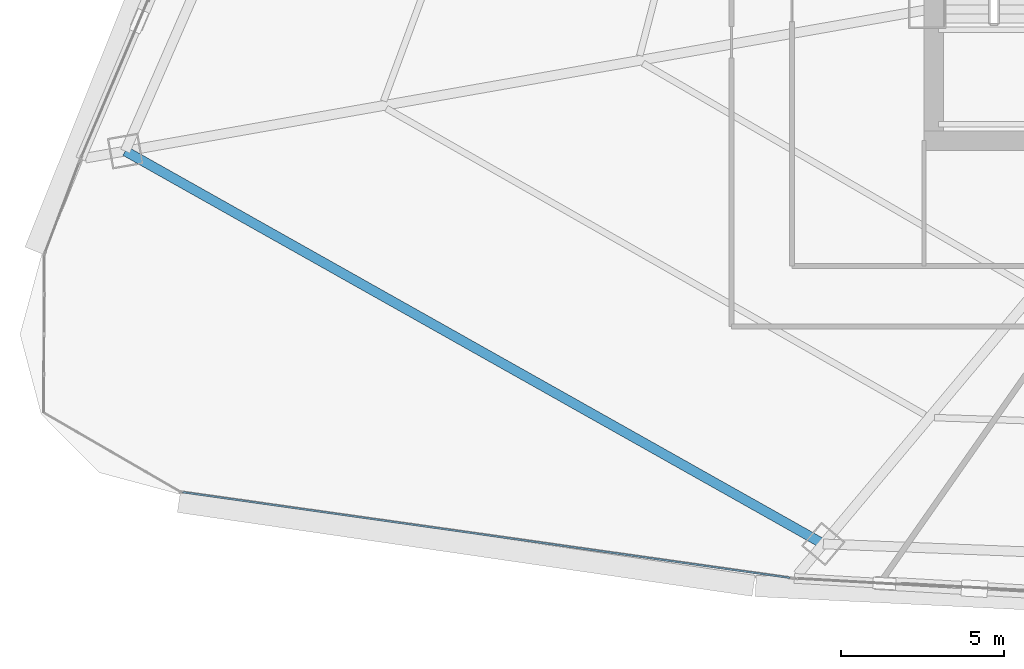
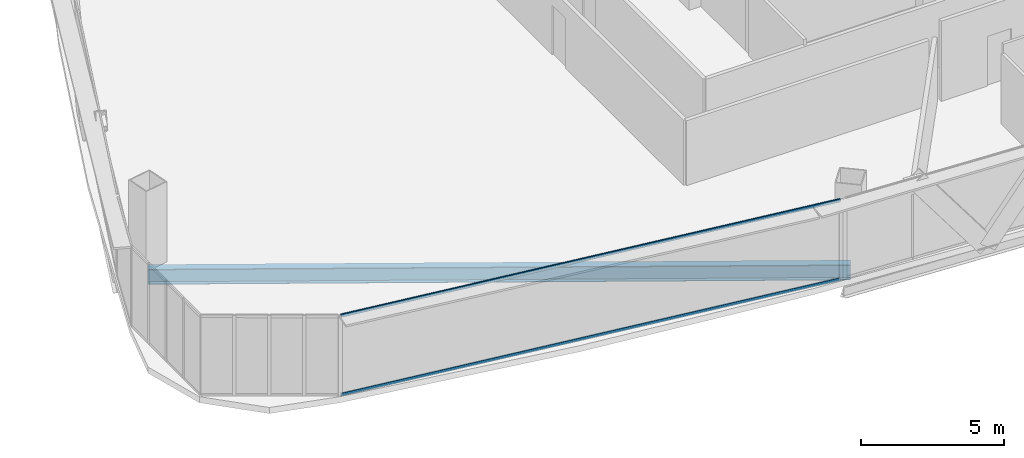
# One storey, part 3 of 42: 2 members, 1 beam, 1 element without a shape of its own.
"""IFC4 building model written with IfcOpenShell, lengths in metres."""

from ifc_helpers import new_model, si_unit, direction, frame, origin, origin_2d, place, context, subcontext, project, spatial, hollow_rectangle, i_section, extrude, source, transform, mapped, material, layer, layer_set, material_profile, profile_set, type_object, element, aggregate, save


model = new_model("IFC4")

# Units and contexts
model_context = context("Model", 3, precision=1e-05, world=origin(), true_north=direction((0.0, 1.0)))
body_context = subcontext(model_context, "Body", "Model", "MODEL_VIEW")
ifc_project = project(units=[si_unit("LENGTHUNIT", "METRE"), si_unit("AREAUNIT", "SQUARE_METRE"), si_unit("VOLUMEUNIT", "CUBIC_METRE"), si_unit("PLANEANGLEUNIT", "RADIAN"), si_unit("MASSUNIT", "GRAM", prefix="KILO"), si_unit("THERMODYNAMICTEMPERATUREUNIT", "KELVIN"), si_unit("POWERUNIT", "WATT")], contexts=[model_context])

# Site, building, storey
site_placement = place(None, origin())
site = spatial("IfcSite", under=ifc_project, at=site_placement, CompositionType="ELEMENT")
building_placement = place(site_placement, origin())
building = spatial("IfcBuilding", under=site, at=building_placement, Name="Yunzhuo Pagoda Commons", CompositionType="ELEMENT")
storey_placement = place(building_placement, frame((0.0, 0.0, 151.909912109375)))
storey = spatial("IfcBuildingStorey", under=building, at=storey_placement, Name="L38", CompositionType="ELEMENT", Elevation=151.909912109375)

# Beam
ifc_material_1 = material(Name="Structural steel Q355B", Category="steel")
ifc_material_profile_1 = material_profile(ifc_material_1, i_section(OverallWidth=0.300048828125, OverallDepth=0.64990234375, WebThickness=0.012939453125, FlangeThickness=0.02197265625, at=origin_2d()), Name="Structural steel Q355B")
ifc_profile_set_1 = profile_set([ifc_material_profile_1], Name="Structural steel Q355B")
beam_type = type_object("IfcBeamType", Name="B-RG2 Beam HN 650x300x13x22", PredefinedType="BEAM", material=ifc_profile_set_1)
shared_shape_1 = source(origin(), body_context, "Body", "SweptSolid", [
    extrude(i_section(OverallWidth=0.300048828125, OverallDepth=0.64990234375, WebThickness=0.012939453125, FlangeThickness=0.02197265625, at=origin_2d()), origin(), (0.0, 0.0, 1.0), 24.56982421875),
])
beam_placement = place(storey_placement, frame((11.0029296875, 27.176513671875, -0.5849609375), z_axis=(0.871469103633, -0.490450406681, 0.0), x_axis=(0.490450406681, 0.871469103633, 0.0)))
element("IfcBeam", 1, at=beam_placement, inside=storey, type_object=beam_type, Name="L38 column-ring beam 12", PredefinedType="BEAM", context=body_context, shape_type="MappedRepresentation", body=[
    mapped(shared_shape_1, transform((0.0, 0.0, 0.0), scale=1.0)),
])

# Curtain wall, members
ifc_material_2 = material(Name="Anodized aluminium 6063-T6", Category="aluminium")
ifc_layer = layer(ifc_material_2, 0.14990234375)
ifc_layer_set = layer_set([ifc_layer], Name="Anodized aluminium 6063-T6")
curtain_wall_type = type_object("IfcCurtainWallType", Name="CW-MID Mid-Zone Ribbon Curtain Wall", PredefinedType="NOTDEFINED", material=ifc_layer_set)
curtain_wall_placement = place(storey_placement, origin())
curtain_wall = element("IfcCurtainWall", 2, at=curtain_wall_placement, inside=storey, type_object=curtain_wall_type, Name="L38 curtain wall CW-L38-F1B1", PredefinedType="NOTDEFINED")
ifc_material_profile_2 = material_profile(ifc_material_2, hollow_rectangle(XDim=0.054931640625, YDim=0.1298828125, WallThickness=0.00341796875, at=origin_2d()), Name="Anodized aluminium 6063-T6")
ifc_profile_set_2 = profile_set([ifc_material_profile_2], Name="Anodized aluminium 6063-T6")
member_type = type_object("IfcMemberType", Name="CW-MID-T Transom RHS 130x55x3.5", PredefinedType="USERDEFINED", material=ifc_profile_set_2)
shared_shape_2 = source(origin(), body_context, "Body", "SweptSolid", [
    extrude(hollow_rectangle(XDim=0.054931640625, YDim=0.1298828125, WallThickness=0.00341796875, at=origin_2d()), origin(), (0.0, 0.0, 1.0), 18.81640625),
])
member_1_placement = place(storey_placement, frame((12.761474609375, 16.71484375, 0.027587890625), z_axis=(0.990202969185, -0.139635524908, 0.0), x_axis=(0.139635524908, 0.990202969185, 0.0)))
member_1 = element("IfcMember", 3, at=member_1_placement, type_object=member_type, Name="CW transom 1.1", ObjectType="TRANSOM", PredefinedType="USERDEFINED", context=body_context, shape_type="MappedRepresentation", body=[
    mapped(shared_shape_2, transform((0.0, 0.0, 0.0), scale=1.0)),
])
member_2_placement = place(storey_placement, frame((12.761474609375, 16.71484375, 3.392578125), z_axis=(0.990202969185, -0.139635524908, 0.0), x_axis=(0.139635524908, 0.990202969185, 0.0)))
member_2 = element("IfcMember", 4, at=member_2_placement, type_object=member_type, Name="CW transom 1.2", ObjectType="TRANSOM", PredefinedType="USERDEFINED", context=body_context, shape_type="MappedRepresentation", body=[
    mapped(shared_shape_2, transform((0.0, 0.0, 0.0), scale=1.0)),
])
aggregate(curtain_wall, [member_1, member_2])

save(model, "model.ifc")
